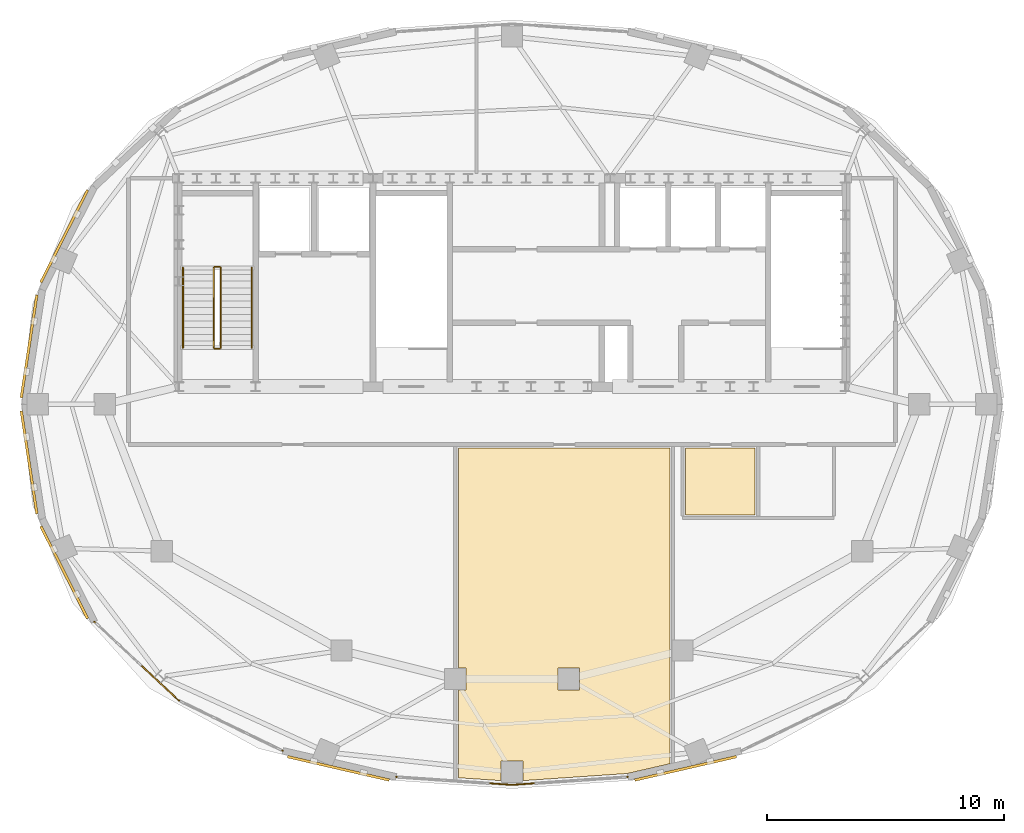
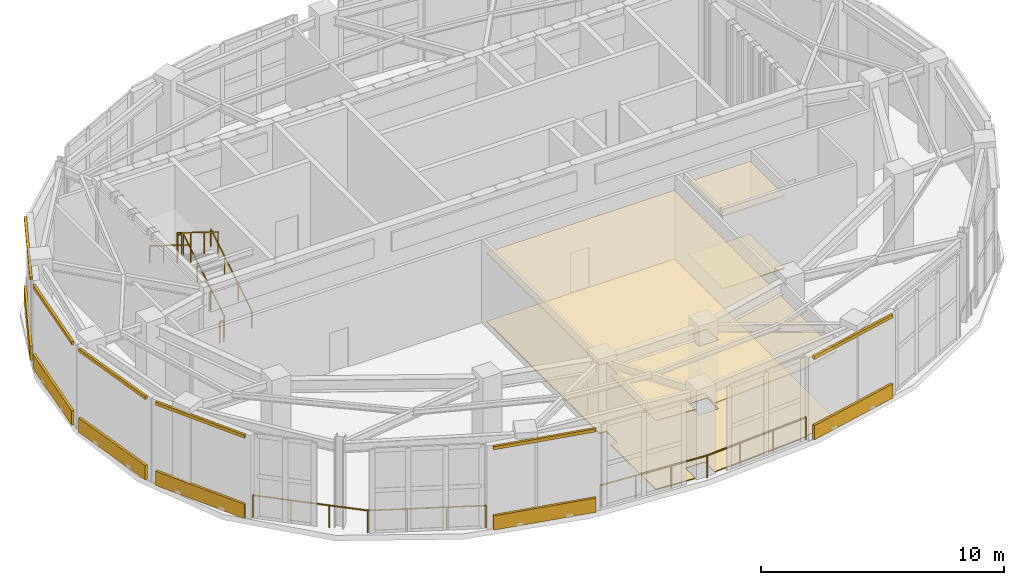
# One storey, part 9 of 10: 16 coverings, 10 railings.
"""IFC4 building model written with IfcOpenShell, lengths in metres."""

from ifc_helpers import new_model, si_unit, direction, frame, origin, origin_2d, place, context, subcontext, project, spatial, polyline, rectangle, outline, extrude, material, layer, layer_set, type_object, element, save


model = new_model("IFC4")

# Units and contexts
model_context = context("Model", 3, precision=1e-05, world=origin(), true_north=direction((0.0, 1.0)))
body_context = subcontext(model_context, "Body", "Model", "MODEL_VIEW")
ifc_project = project(units=[si_unit("LENGTHUNIT", "METRE"), si_unit("AREAUNIT", "SQUARE_METRE"), si_unit("VOLUMEUNIT", "CUBIC_METRE"), si_unit("PLANEANGLEUNIT", "RADIAN"), si_unit("MASSUNIT", "GRAM", prefix="KILO")], contexts=[model_context])

# Site, building, storey
site_placement = place(None, origin())
site = spatial("IfcSite", under=ifc_project, at=site_placement, CompositionType="ELEMENT")
building_placement = place(site_placement, origin())
building = spatial("IfcBuilding", under=site, at=building_placement, Name="Haldorwick Loom Tower", CompositionType="ELEMENT")
storey_placement = place(building_placement, frame((0.0, 0.0, 296.0)))
storey = spatial("IfcBuildingStorey", under=building, at=storey_placement, Name="L79", CompositionType="ELEMENT", Elevation=296.0)

# Coverings
ifc_material_1 = material(Name="Corbelled Pressed Clay Face Brick Veneer", Category="masonry")
ifc_layer_1 = layer(ifc_material_1, 0.110107421875, Name="Corbelled Pressed Clay Face Brick Veneer", Category="masonry")
ifc_layer_set_1 = layer_set([ifc_layer_1], Name="Corbelled Pressed Clay Face Brick Veneer")
covering_type_1 = type_object("IfcCoveringType", Name="ARC-COV-BRICK110", PredefinedType="CLADDING", material=ifc_layer_set_1)
covering_1_placement = place(storey_placement, origin())
element("IfcCovering", 1, at=covering_1_placement, inside=storey, type_object=covering_type_1, Name="L79 Sill Face-Brick Spandrel 11", PredefinedType="CLADDING", context=body_context, shape_type="SweptSolid", body=[
    extrude(outline(polyline([(18.023681640625, 35.07421875), (16.050537109375, 31.17822265625), (16.148681640625, 31.128662109375), (18.121826171875, 35.0244140625), (18.023681640625, 35.07421875)])), origin(), (0.0, 0.0, 1.0), 0.719970703125),
])
covering_2_placement = place(storey_placement, frame((0.0, 0.0, 4.0400390625)))
element("IfcCovering", 2, at=covering_2_placement, inside=storey, type_object=covering_type_1, Name="L79 Head Face-Brick Lintel Band 11", PredefinedType="CLADDING", context=body_context, shape_type="SweptSolid", body=[
    extrude(outline(polyline([(18.023681640625, 35.07421875), (16.050537109375, 31.17822265625), (16.148681640625, 31.128662109375), (18.121826171875, 35.0244140625), (18.023681640625, 35.07421875)])), origin(), (0.0, 0.0, 1.0), 0.159912109375),
])
covering_3_placement = place(storey_placement, origin())
element("IfcCovering", 3, at=covering_3_placement, inside=storey, type_object=covering_type_1, Name="L79 Sill Face-Brick Spandrel 12", PredefinedType="CLADDING", context=body_context, shape_type="SweptSolid", body=[
    extrude(outline(polyline([(15.8759765625, 30.632568359375), (15.216796875, 26.28466796875), (15.325439453125, 26.268310546875), (15.98486328125, 30.6162109375), (15.8759765625, 30.632568359375)])), origin(), (0.0, 0.0, 1.0), 0.719970703125),
])
covering_4_placement = place(storey_placement, frame((0.0, 0.0, 4.0400390625)))
element("IfcCovering", 4, at=covering_4_placement, inside=storey, type_object=covering_type_1, Name="L79 Head Face-Brick Lintel Band 12", PredefinedType="CLADDING", context=body_context, shape_type="SweptSolid", body=[
    extrude(outline(polyline([(15.8759765625, 30.632568359375), (15.216796875, 26.28466796875), (15.325439453125, 26.268310546875), (15.98486328125, 30.6162109375), (15.8759765625, 30.632568359375)])), origin(), (0.0, 0.0, 1.0), 0.159912109375),
])
covering_5_placement = place(storey_placement, origin())
element("IfcCovering", 5, at=covering_5_placement, inside=storey, type_object=covering_type_1, Name="L79 Sill Face-Brick Spandrel 13", PredefinedType="CLADDING", context=body_context, shape_type="SweptSolid", body=[
    extrude(outline(polyline([(15.216796875, 25.71533203125), (15.8759765625, 21.367431640625), (15.98486328125, 21.3837890625), (15.325439453125, 25.731689453125), (15.216796875, 25.71533203125)])), origin(), (0.0, 0.0, 1.0), 0.719970703125),
])
covering_6_placement = place(storey_placement, frame((0.0, 0.0, 4.0400390625)))
element("IfcCovering", 6, at=covering_6_placement, inside=storey, type_object=covering_type_1, Name="L79 Head Face-Brick Lintel Band 13", PredefinedType="CLADDING", context=body_context, shape_type="SweptSolid", body=[
    extrude(outline(polyline([(15.216796875, 25.71533203125), (15.8759765625, 21.367431640625), (15.98486328125, 21.3837890625), (15.325439453125, 25.731689453125), (15.216796875, 25.71533203125)])), origin(), (0.0, 0.0, 1.0), 0.159912109375),
])
covering_7_placement = place(storey_placement, origin())
element("IfcCovering", 7, at=covering_7_placement, inside=storey, type_object=covering_type_1, Name="L79 Sill Face-Brick Spandrel 14", PredefinedType="CLADDING", context=body_context, shape_type="SweptSolid", body=[
    extrude(outline(polyline([(16.050537109375, 20.82177734375), (18.023681640625, 16.92578125), (18.121826171875, 16.9755859375), (16.148681640625, 20.871337890625), (16.050537109375, 20.82177734375)])), origin(), (0.0, 0.0, 1.0), 0.719970703125),
])
covering_8_placement = place(storey_placement, frame((0.0, 0.0, 4.0400390625)))
element("IfcCovering", 8, at=covering_8_placement, inside=storey, type_object=covering_type_1, Name="L79 Head Face-Brick Lintel Band 14", PredefinedType="CLADDING", context=body_context, shape_type="SweptSolid", body=[
    extrude(outline(polyline([(16.050537109375, 20.82177734375), (18.023681640625, 16.92578125), (18.121826171875, 16.9755859375), (16.148681640625, 20.871337890625), (16.050537109375, 20.82177734375)])), origin(), (0.0, 0.0, 1.0), 0.159912109375),
])
covering_9_placement = place(storey_placement, origin())
element("IfcCovering", 9, at=covering_9_placement, inside=storey, type_object=covering_type_1, Name="L79 Sill Face-Brick Spandrel 17", PredefinedType="CLADDING", context=body_context, shape_type="SweptSolid", body=[
    extrude(outline(polyline([(26.5068359375, 11.0625), (30.8017578125, 10.07373046875), (30.826416015625, 10.180908203125), (26.531494140625, 11.169677734375), (26.5068359375, 11.0625)])), origin(), (0.0, 0.0, 1.0), 0.719970703125),
])
covering_10_placement = place(storey_placement, frame((0.0, 0.0, 4.0400390625)))
element("IfcCovering", 10, at=covering_10_placement, inside=storey, type_object=covering_type_1, Name="L79 Head Face-Brick Lintel Band 17", PredefinedType="CLADDING", context=body_context, shape_type="SweptSolid", body=[
    extrude(outline(polyline([(26.5068359375, 11.0625), (30.8017578125, 10.07373046875), (30.826416015625, 10.180908203125), (26.531494140625, 11.169677734375), (26.5068359375, 11.0625)])), origin(), (0.0, 0.0, 1.0), 0.159912109375),
])
covering_11_placement = place(storey_placement, origin())
element("IfcCovering", 11, at=covering_11_placement, inside=storey, type_object=covering_type_1, Name="L79 Sill Face-Brick Spandrel 20", PredefinedType="CLADDING", context=body_context, shape_type="SweptSolid", body=[
    extrude(outline(polyline([(41.1982421875, 10.07373046875), (45.4931640625, 11.0625), (45.468505859375, 11.169677734375), (41.173583984375, 10.180908203125), (41.1982421875, 10.07373046875)])), origin(), (0.0, 0.0, 1.0), 0.719970703125),
])
covering_12_placement = place(storey_placement, frame((0.0, 0.0, 4.0400390625)))
element("IfcCovering", 12, at=covering_12_placement, inside=storey, type_object=covering_type_1, Name="L79 Head Face-Brick Lintel Band 20", PredefinedType="CLADDING", context=body_context, shape_type="SweptSolid", body=[
    extrude(outline(polyline([(41.1982421875, 10.07373046875), (45.4931640625, 11.0625), (45.468505859375, 11.169677734375), (41.173583984375, 10.180908203125), (41.1982421875, 10.07373046875)])), origin(), (0.0, 0.0, 1.0), 0.159912109375),
])
ifc_material_2 = material(Name="Mineral Fibre Acoustic Ceiling Tile")
ifc_layer_2 = layer(ifc_material_2, 0.054931640625, Name="Mineral Fibre Acoustic Ceiling Tile")
ifc_layer_set_2 = layer_set([ifc_layer_2], Name="Mineral Fibre Acoustic Ceiling Tile")
covering_type_2 = type_object("IfcCoveringType", Name="ARC-COV-CEIL2", PredefinedType="CEILING", material=ifc_layer_set_2)
covering_13_placement = place(storey_placement, frame((0.0, 0.0, 3.448974609375)))
element("IfcCovering", 13, at=covering_13_placement, inside=storey, type_object=covering_type_2, Name="L79 Acoustic Suspended Ceiling 1", PredefinedType="CEILING", context=body_context, shape_type="SweptSolid", body=[
    extrude(outline(polyline([(42.669921875, 10.81787109375), (42.669921875, 24.159912109375), (33.72998046875, 24.159912109375), (33.72998046875, 14.85791015625), (34.05810546875, 14.85791015625), (34.05810546875, 13.94189453125), (33.72998046875, 13.94189453125), (33.72998046875, 10.226318359375), (35.5419921875, 10.10205078125), (35.5419921875, 10.923095703125), (36.4580078125, 10.923095703125), (36.4580078125, 10.10205078125), (40.877197265625, 10.4052734375), (42.669921875, 10.81787109375)]), holes=[polyline([(38.85791015625, 14.85791015625), (38.85791015625, 13.94189453125), (37.94189453125, 13.94189453125), (37.94189453125, 14.85791015625), (38.85791015625, 14.85791015625)])]), origin(), (0.0, 0.0, 1.0), 0.054931640625),
])
covering_14_placement = place(storey_placement, frame((0.0, 0.0, 3.64501953125)))
element("IfcCovering", 14, at=covering_14_placement, inside=storey, type_object=covering_type_2, Name="L79 Acoustic Suspended Ceiling 2", PredefinedType="CEILING", context=body_context, shape_type="SweptSolid", body=[
    extrude(outline(polyline([(43.330078125, 24.159912109375), (43.330078125, 21.330078125), (46.27001953125, 21.330078125), (46.27001953125, 24.159912109375), (43.330078125, 24.159912109375)])), origin(), (0.0, 0.0, 1.0), 0.054931640625),
])
ifc_material_3 = material(Name="Polished Aggregate Terrazzo Finish")
ifc_layer_3 = layer(ifc_material_3, 0.044921875, Name="Polished Aggregate Terrazzo Finish")
ifc_layer_set_3 = layer_set([ifc_layer_3], Name="Polished Aggregate Terrazzo Finish")
covering_type_3 = type_object("IfcCoveringType", Name="ARC-COV-FLOOR2", PredefinedType="FLOORING", material=ifc_layer_set_3)
covering_15_placement = place(storey_placement, origin())
element("IfcCovering", 15, at=covering_15_placement, inside=storey, type_object=covering_type_3, Name="L79 Floor Finish 1", PredefinedType="FLOORING", context=body_context, shape_type="SweptSolid", body=[
    extrude(outline(polyline([(42.669921875, 10.81787109375), (42.669921875, 24.159912109375), (33.72998046875, 24.159912109375), (33.72998046875, 14.85791015625), (34.05810546875, 14.85791015625), (34.05810546875, 13.94189453125), (33.72998046875, 13.94189453125), (33.72998046875, 10.226318359375), (35.5419921875, 10.10205078125), (35.5419921875, 10.923095703125), (36.4580078125, 10.923095703125), (36.4580078125, 10.10205078125), (40.877197265625, 10.4052734375), (42.669921875, 10.81787109375)]), holes=[polyline([(38.85791015625, 14.85791015625), (38.85791015625, 13.94189453125), (37.94189453125, 13.94189453125), (37.94189453125, 14.85791015625), (38.85791015625, 14.85791015625)])]), origin(), (0.0, 0.0, 1.0), 0.044921875),
])
covering_16_placement = place(storey_placement, origin())
element("IfcCovering", 16, at=covering_16_placement, inside=storey, type_object=covering_type_3, Name="L79 Floor Finish 2", PredefinedType="FLOORING", context=body_context, shape_type="SweptSolid", body=[
    extrude(outline(polyline([(43.330078125, 24.159912109375), (43.330078125, 21.330078125), (46.27001953125, 21.330078125), (46.27001953125, 24.159912109375), (43.330078125, 24.159912109375)])), origin(), (0.0, 0.0, 1.0), 0.044921875),
])

# Railings
ifc_material_4 = material(Name="Galvanized Steel CSA G40.21 350W", Category="steel")
railing_type_1 = type_object("IfcRailingType", Name="ARC-RLG-BAL115", PredefinedType="BALUSTRADE", material=ifc_material_4)
railing_1_placement = place(storey_placement, frame((18.359619140625, 16.815673828125, 0.0)))
element("IfcRailing", 17, at=railing_1_placement, inside=storey, type_object=railing_type_1, Name="L79 Curtain-Wall Sill Safety Guardrail 15", PredefinedType="BALUSTRADE", context=body_context, shape_type="SweptSolid", body=[
    extrude(rectangle(XDim=0.048095703125, YDim=0.048095703125, at=origin_2d()), frame((0.0, 0.0, 1.1259765625), z_axis=(0.730848380054, -0.682539848927, 0.0), x_axis=(0.682539848927, 0.730848380054, 0.0)), (0.0, 0.0, 1.0), 4.86669921875),
    extrude(rectangle(XDim=0.0419921875, YDim=0.0419921875, at=origin_2d()), origin(), (0.0, 0.0, 1.0), 1.101806640625),
    extrude(rectangle(XDim=0.0419921875, YDim=0.0419921875, at=origin_2d()), frame((1.185546875, -1.107177734375, 0.0)), (0.0, 0.0, 1.0), 1.101806640625),
    extrude(rectangle(XDim=0.0419921875, YDim=0.0419921875, at=origin_2d()), frame((2.371337890625, -2.214599609375, 0.0)), (0.0, 0.0, 1.0), 1.101806640625),
    extrude(rectangle(XDim=0.0419921875, YDim=0.0419921875, at=origin_2d()), frame((3.556884765625, -3.32177734375, 0.0)), (0.0, 0.0, 1.0), 1.101806640625),
])
railing_2_placement = place(storey_placement, frame((21.91650390625, 13.493896484375, 0.0)))
element("IfcRailing", 18, at=railing_2_placement, inside=storey, type_object=railing_type_1, Name="L79 Curtain-Wall Sill Safety Guardrail 16", PredefinedType="BALUSTRADE", context=body_context, shape_type="SweptSolid", body=[
    extrude(rectangle(XDim=0.048095703125, YDim=0.048095703125, at=origin_2d()), frame((0.0, 0.0, 1.1259765625), z_axis=(0.900044338684, -0.435798334556, 0.0), x_axis=(0.435798334556, 0.900044338684, 0.0)), (0.0, 0.0, 1.0), 4.891845703125),
    extrude(rectangle(XDim=0.0419921875, YDim=0.0419921875, at=origin_2d()), origin(), (0.0, 0.0, 1.0), 1.101806640625),
    extrude(rectangle(XDim=0.0419921875, YDim=0.0419921875, at=origin_2d()), frame((1.467529296875, -0.710693359375, 0.0)), (0.0, 0.0, 1.0), 1.101806640625),
    extrude(rectangle(XDim=0.0419921875, YDim=0.0419921875, at=origin_2d()), frame((2.935302734375, -1.421142578125, 0.0)), (0.0, 0.0, 1.0), 1.101806640625),
    extrude(rectangle(XDim=0.0419921875, YDim=0.0419921875, at=origin_2d()), frame((4.40283203125, -2.1318359375, 0.0)), (0.0, 0.0, 1.0), 1.101806640625),
])
railing_3_placement = place(storey_placement, frame((31.1015625, 10.261474609375, 0.0)))
element("IfcRailing", 19, at=railing_3_placement, inside=storey, type_object=railing_type_1, Name="L79 Curtain-Wall Sill Safety Guardrail 18", PredefinedType="BALUSTRADE", context=body_context, shape_type="SweptSolid", body=[
    extrude(rectangle(XDim=0.048095703125, YDim=0.048095703125, at=origin_2d()), frame((0.0, 0.0, 1.1259765625), z_axis=(0.997653222254, -0.06846932252, 0.0), x_axis=(0.06846932252, 0.997653222254, 0.0)), (0.0, 0.0, 1.0), 4.909912109375),
    extrude(rectangle(XDim=0.0419921875, YDim=0.0419921875, at=origin_2d()), origin(), (0.0, 0.0, 1.0), 1.101806640625),
    extrude(rectangle(XDim=0.0419921875, YDim=0.0419921875, at=origin_2d()), frame((1.6328125, -0.112060546875, 0.0)), (0.0, 0.0, 1.0), 1.101806640625),
    extrude(rectangle(XDim=0.0419921875, YDim=0.0419921875, at=origin_2d()), frame((3.265625, -0.22412109375, 0.0)), (0.0, 0.0, 1.0), 1.101806640625),
    extrude(rectangle(XDim=0.0419921875, YDim=0.0419921875, at=origin_2d()), frame((4.8984375, -0.336181640625, 0.0)), (0.0, 0.0, 1.0), 1.101806640625),
])
railing_4_placement = place(storey_placement, frame((36.0, 9.92529296875, 0.0)))
element("IfcRailing", 20, at=railing_4_placement, inside=storey, type_object=railing_type_1, Name="L79 Curtain-Wall Sill Safety Guardrail 19", PredefinedType="BALUSTRADE", context=body_context, shape_type="SweptSolid", body=[
    extrude(rectangle(XDim=0.048095703125, YDim=0.048095703125, at=origin_2d()), frame((0.0, 0.0, 1.1259765625), z_axis=(0.997653222254, 0.06846932252, 0.0), x_axis=(-0.06846932252, 0.997653222254, 0.0)), (0.0, 0.0, 1.0), 4.909912109375),
    extrude(rectangle(XDim=0.0419921875, YDim=0.0419921875, at=origin_2d()), origin(), (0.0, 0.0, 1.0), 1.101806640625),
    extrude(rectangle(XDim=0.0419921875, YDim=0.0419921875, at=origin_2d()), frame((1.6328125, 0.112060546875, 0.0)), (0.0, 0.0, 1.0), 1.101806640625),
    extrude(rectangle(XDim=0.0419921875, YDim=0.0419921875, at=origin_2d()), frame((3.265625, 0.22412109375, 0.0)), (0.0, 0.0, 1.0), 1.101806640625),
    extrude(rectangle(XDim=0.0419921875, YDim=0.0419921875, at=origin_2d()), frame((4.8984375, 0.336181640625, 0.0)), (0.0, 0.0, 1.0), 1.101806640625),
])
ifc_material_5 = material(Name="Steel CSA G40.21 350W", Category="steel")
railing_type_2 = type_object("IfcRailingType", Name="ARC-RLG-GUARD112", PredefinedType="GUARDRAIL", material=ifc_material_5)
railing_5_placement = place(storey_placement, frame((23.699951171875, 28.39990234375, 0.173095703125)))
element("IfcRailing", 21, at=railing_5_placement, inside=storey, type_object=railing_type_2, Name="L79 ST-01 stair guard 1", PredefinedType="GUARDRAIL", context=body_context, shape_type="SweptSolid", body=[
    extrude(rectangle(XDim=0.048095703125, YDim=0.048095703125, at=origin_2d()), frame((0.0, 0.0, 1.076171875), z_axis=(0.0, 0.850623216509, 0.525775754039), x_axis=(-1.0, 0.0, 0.0)), (0.0, 0.0, 1.0), 3.9501953125),
    extrude(rectangle(XDim=0.0419921875, YDim=0.0419921875, at=origin_2d()), origin(), (0.0, 0.0, 1.0), 1.052001953125),
    extrude(rectangle(XDim=0.0419921875, YDim=0.0419921875, at=origin_2d()), frame((0.0, 1.1201171875, 0.6923828125)), (0.0, 0.0, 1.0), 1.052001953125),
    extrude(rectangle(XDim=0.0419921875, YDim=0.0419921875, at=origin_2d()), frame((0.0, 2.239990234375, 1.384521484375)), (0.0, 0.0, 1.0), 1.052001953125),
    extrude(rectangle(XDim=0.0419921875, YDim=0.0419921875, at=origin_2d()), frame((0.0, 3.360107421875, 2.076904296875)), (0.0, 0.0, 1.0), 1.052001953125),
])
railing_6_placement = place(storey_placement, frame((23.64990234375, 31.81005859375, 2.25)))
element("IfcRailing", 22, at=railing_6_placement, inside=storey, type_object=railing_type_2, Name="L79 ST-01 stair guard 2", PredefinedType="GUARDRAIL", context=body_context, shape_type="SweptSolid", body=[
    extrude(rectangle(XDim=0.048095703125, YDim=0.048095703125, at=origin_2d()), frame((0.0, 0.0, 1.076171875), z_axis=(-1.0, 0.0, 0.0), x_axis=(0.0, -1.0, 0.0)), (0.0, 0.0, 1.0), 0.199951171875),
    extrude(rectangle(XDim=0.0419921875, YDim=0.0419921875, at=origin_2d()), origin(), (0.0, 0.0, 1.0), 1.052001953125),
    extrude(rectangle(XDim=0.0419921875, YDim=0.0419921875, at=origin_2d()), frame((-0.199951171875, 0.0, 0.0)), (0.0, 0.0, 1.0), 1.052001953125),
])
railing_7_placement = place(storey_placement, frame((23.39990234375, 31.760009765625, 2.423095703125)))
element("IfcRailing", 23, at=railing_7_placement, inside=storey, type_object=railing_type_2, Name="L79 ST-01 stair guard 3", PredefinedType="GUARDRAIL", context=body_context, shape_type="SweptSolid", body=[
    extrude(rectangle(XDim=0.048095703125, YDim=0.048095703125, at=origin_2d()), frame((0.0, 0.0, 1.076171875), z_axis=(0.0, -0.850623216509, 0.525775754039), x_axis=(1.0, 0.0, 0.0)), (0.0, 0.0, 1.0), 3.9501953125),
    extrude(rectangle(XDim=0.0419921875, YDim=0.0419921875, at=origin_2d()), origin(), (0.0, 0.0, 1.0), 1.052001953125),
    extrude(rectangle(XDim=0.0419921875, YDim=0.0419921875, at=origin_2d()), frame((0.0, -1.1201171875, 0.6923828125)), (0.0, 0.0, 1.0), 1.052001953125),
    extrude(rectangle(XDim=0.0419921875, YDim=0.0419921875, at=origin_2d()), frame((0.0, -2.239990234375, 1.384521484375)), (0.0, 0.0, 1.0), 1.052001953125),
    extrude(rectangle(XDim=0.0419921875, YDim=0.0419921875, at=origin_2d()), frame((0.0, -3.360107421875, 2.076904296875)), (0.0, 0.0, 1.0), 1.052001953125),
])
railing_8_placement = place(storey_placement, frame((23.64990234375, 28.35009765625, 0.0)))
element("IfcRailing", 24, at=railing_8_placement, inside=storey, type_object=railing_type_2, Name="L79 ST-01 stair guard 4", PredefinedType="GUARDRAIL", context=body_context, shape_type="SweptSolid", body=[
    extrude(rectangle(XDim=0.048095703125, YDim=0.048095703125, at=origin_2d()), frame((0.0, 0.0, 1.076171875), z_axis=(-1.0, 0.0, 0.0), x_axis=(0.0, -1.0, 0.0)), (0.0, 0.0, 1.0), 0.199951171875),
    extrude(rectangle(XDim=0.0419921875, YDim=0.0419921875, at=origin_2d()), origin(), (0.0, 0.0, 1.0), 1.052001953125),
    extrude(rectangle(XDim=0.0419921875, YDim=0.0419921875, at=origin_2d()), frame((-0.199951171875, 0.0, 0.0)), (0.0, 0.0, 1.0), 1.052001953125),
])
railing_type_3 = type_object("IfcRailingType", Name="ARC-RLG-HAND092", PredefinedType="HANDRAIL", material=ifc_material_5)
railing_9_placement = place(storey_placement, frame((25.0, 28.39990234375, 0.173095703125)))
element("IfcRailing", 25, at=railing_9_placement, inside=storey, type_object=railing_type_3, Name="L79 ST-01 stair handrail 1", PredefinedType="HANDRAIL", context=body_context, shape_type="SweptSolid", body=[
    extrude(rectangle(XDim=0.048095703125, YDim=0.048095703125, at=origin_2d()), frame((0.0, 0.0, 0.8759765625), z_axis=(0.0, 0.850623216509, 0.525775754039), x_axis=(-1.0, 0.0, 0.0)), (0.0, 0.0, 1.0), 3.9501953125),
    extrude(rectangle(XDim=0.0419921875, YDim=0.0419921875, at=origin_2d()), origin(), (0.0, 0.0, 1.0), 0.851806640625),
    extrude(rectangle(XDim=0.0419921875, YDim=0.0419921875, at=origin_2d()), frame((0.0, 1.1201171875, 0.6923828125)), (0.0, 0.0, 1.0), 0.851806640625),
    extrude(rectangle(XDim=0.0419921875, YDim=0.0419921875, at=origin_2d()), frame((0.0, 2.239990234375, 1.384521484375)), (0.0, 0.0, 1.0), 0.851806640625),
    extrude(rectangle(XDim=0.0419921875, YDim=0.0419921875, at=origin_2d()), frame((0.0, 3.360107421875, 2.076904296875)), (0.0, 0.0, 1.0), 0.851806640625),
])
railing_10_placement = place(storey_placement, frame((22.10009765625, 31.760009765625, 2.423095703125)))
element("IfcRailing", 26, at=railing_10_placement, inside=storey, type_object=railing_type_3, Name="L79 ST-01 stair handrail 2", PredefinedType="HANDRAIL", context=body_context, shape_type="SweptSolid", body=[
    extrude(rectangle(XDim=0.048095703125, YDim=0.048095703125, at=origin_2d()), frame((0.0, 0.0, 0.8759765625), z_axis=(0.0, -0.850623216509, 0.525775754039), x_axis=(1.0, 0.0, 0.0)), (0.0, 0.0, 1.0), 3.9501953125),
    extrude(rectangle(XDim=0.0419921875, YDim=0.0419921875, at=origin_2d()), origin(), (0.0, 0.0, 1.0), 0.851806640625),
    extrude(rectangle(XDim=0.0419921875, YDim=0.0419921875, at=origin_2d()), frame((0.0, -1.1201171875, 0.6923828125)), (0.0, 0.0, 1.0), 0.851806640625),
    extrude(rectangle(XDim=0.0419921875, YDim=0.0419921875, at=origin_2d()), frame((0.0, -2.239990234375, 1.384521484375)), (0.0, 0.0, 1.0), 0.851806640625),
    extrude(rectangle(XDim=0.0419921875, YDim=0.0419921875, at=origin_2d()), frame((0.0, -3.360107421875, 2.076904296875)), (0.0, 0.0, 1.0), 0.851806640625),
])

save(model, "model.ifc")
